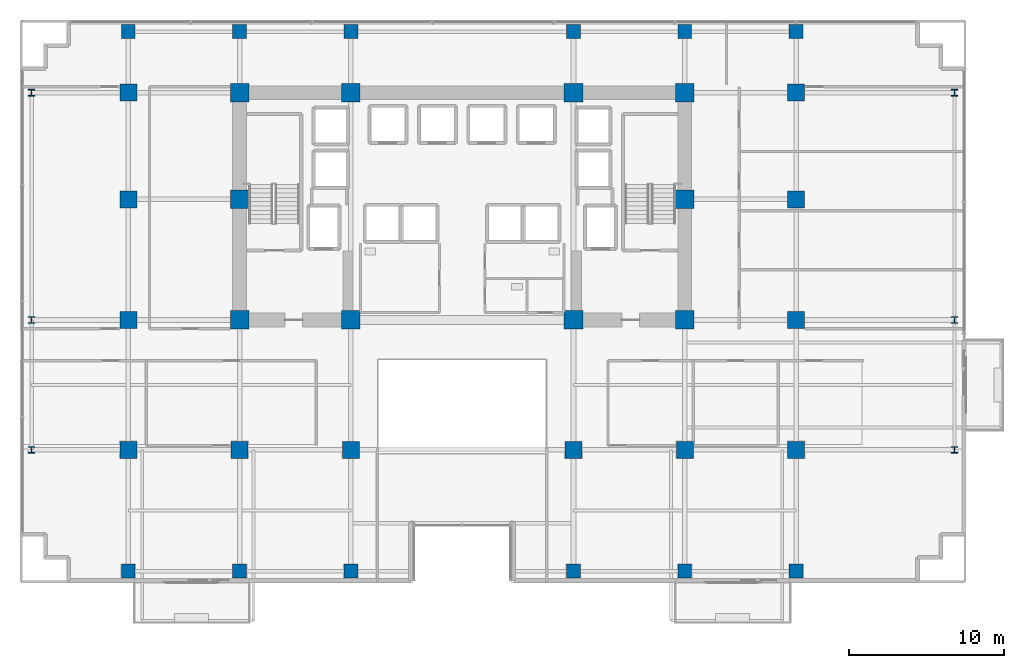
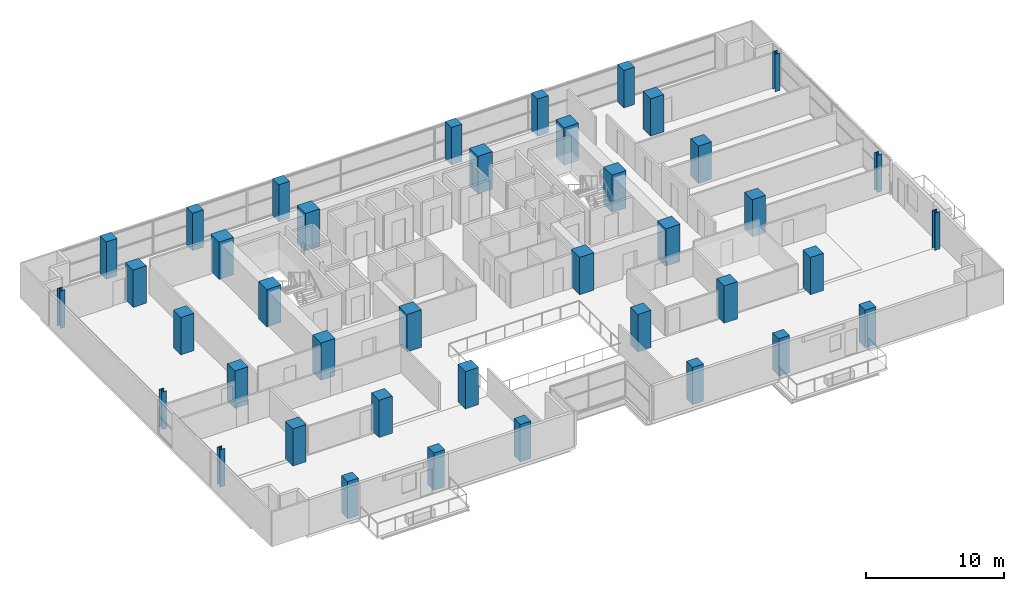
# One storey, part 1 of 27: 40 columns.
"""IFC4 building model written with IfcOpenShell, lengths in metres."""

import ifcopenshell
import ifcopenshell.guid

model = None  # the IFC model being written
_history = None  # IfcOwnerHistory: only IFC2X3 demands one
_inside = {}  # id of a spatial element -> (the spatial element, [elements in it])
_under = {}  # id of a project, library or spatial element -> (it, [spatial elements below it])
_declared = {}  # id of a project -> (the project, [libraries it declares])
_typed = {}  # id of a type object -> (the type object, [elements of that type])
_made_of = {}  # id of a material, layer set ... -> (it, [elements and type objects made of it])


def new_model(schema):
    """Start an empty IFC model of exactly this schema.

    Asked for "IFC4X3", IfcOpenShell would pick the latest addendum, in which some entities
    have other attributes; the version numbers below select the first issue.
    IFC2X3 requires an IfcOwnerHistory on every rooted entity: one is made here for all.
    """
    global model, _history
    if schema == "IFC4X3":
        model = ifcopenshell.file(schema_version=(4, 3, 0, 0))
    else:
        model = ifcopenshell.file(schema=schema)
    _inside.clear()
    _under.clear()
    _declared.clear()
    _typed.clear()
    _made_of.clear()
    _history = None
    if model.schema == "IFC2X3":
        org = make("IfcOrganization", Name="unknown")
        user = make(
            "IfcPersonAndOrganization",
            ThePerson=make("IfcPerson", FamilyName="unknown"),
            TheOrganization=org,
        )
        app = make(
            "IfcApplication",
            ApplicationDeveloper=org,
            Version="unknown",
            ApplicationFullName="unknown",
            ApplicationIdentifier="unknown",
        )
        _history = make(
            "IfcOwnerHistory",
            OwningUser=user,
            OwningApplication=app,
            ChangeAction="ADDED",
            CreationDate=0,
        )
    return model


def make(cls, **values):
    """One entity of the class cls with the attributes given. An attribute that is None is left unset."""
    return model.create_entity(
        cls, **{name: value for name, value in values.items() if value is not None}
    )


def rooted(cls, **values):
    """An entity with a GlobalId (a new one), such as an element, a storey or a relation."""
    return make(cls, GlobalId=ifcopenshell.guid.new(), OwnerHistory=_history, **values)


def si_unit(unit_type, name, prefix=None):
    """IfcSIUnit, for example si_unit("LENGTHUNIT", "METRE", prefix="MILLI")."""
    return make("IfcSIUnit", UnitType=unit_type, Prefix=prefix, Name=name)


def assignment(units):
    """IfcUnitAssignment: the units of a project."""
    return None if units is None else make("IfcUnitAssignment", Units=units)


def point(xyz):
    """IfcCartesianPoint."""
    return None if xyz is None else make("IfcCartesianPoint", Coordinates=xyz)


def direction(xyz):
    """IfcDirection."""
    return None if xyz is None else make("IfcDirection", DirectionRatios=xyz)


def frame(location, z_axis=None, x_axis=None):
    """IfcAxis2Placement3D, a coordinate frame: its origin and axes. An axis left out is left unset."""
    return make(
        "IfcAxis2Placement3D",
        Location=point(location),
        Axis=direction(z_axis),
        RefDirection=direction(x_axis),
    )


def frame_2d(location, x_axis=None):
    """IfcAxis2Placement2D, a coordinate frame in the plane: its origin and x axis."""
    return make(
        "IfcAxis2Placement2D", Location=point(location), RefDirection=direction(x_axis)
    )


def origin():
    """The frame at (0, 0, 0) with its axes left unset."""
    return frame((0.0, 0.0, 0.0))


def origin_2d():
    """The frame at (0, 0) in the plane with its x axis left unset."""
    return frame_2d((0.0, 0.0))


def place(relative_to, where):
    """IfcLocalPlacement: puts the frame where relative to a parent placement (None: the world)."""
    return make(
        "IfcLocalPlacement", PlacementRelTo=relative_to, RelativePlacement=where
    )


def context(
    kind, dimensions, precision=None, world=None, true_north=None, identifier=None
):
    """IfcGeometricRepresentationContext, for example the 3D "Model" context."""
    return make(
        "IfcGeometricRepresentationContext",
        ContextIdentifier=identifier,
        ContextType=kind,
        CoordinateSpaceDimension=dimensions,
        Precision=precision,
        WorldCoordinateSystem=world,
        TrueNorth=true_north,
    )


def subcontext(parent, identifier, kind, view, scale=None):
    """IfcGeometricRepresentationSubContext, for example "Body" below "Model"."""
    return make(
        "IfcGeometricRepresentationSubContext",
        ContextIdentifier=identifier,
        ContextType=kind,
        ParentContext=parent,
        TargetScale=scale,
        TargetView=view,
    )


def project(units=None, contexts=None):
    """IfcProject with its units and contexts."""
    return rooted(
        "IfcProject",
        Name="project",
        RepresentationContexts=contexts,
        UnitsInContext=assignment(units),
    )


def spatial(cls, under=None, at=None, **own):
    """A site, building, storey or space (cls), placed at a placement, below another one or the project."""
    s = rooted(cls, ObjectPlacement=at, **own)
    if under is not None:
        _under.setdefault(under.id(), (under, []))[1].append(s)
    return s


def profile(cls, at=None, kind="AREA", **sizes):
    """A parametric profile (cls). Its sizes go by their IFC names, for example OverallWidth=200.0."""
    return make(cls, ProfileType=kind, Position=at, **sizes)


def rectangle(**sizes):
    """IfcRectangleProfileDef."""
    return profile("IfcRectangleProfileDef", **sizes)


def i_section(**sizes):
    """IfcIShapeProfileDef."""
    return profile("IfcIShapeProfileDef", **sizes)


def extrude(swept, where, along, depth):
    """IfcExtrudedAreaSolid: the profile swept, set in the frame where, extruded along a direction by depth."""
    return make(
        "IfcExtrudedAreaSolid",
        SweptArea=swept,
        Position=where,
        ExtrudedDirection=direction(along),
        Depth=depth,
    )


def shape(context_of_items, identifier, shape_type, items):
    """IfcShapeRepresentation: the items that make up one representation, for example the "Body"."""
    return make(
        "IfcShapeRepresentation",
        ContextOfItems=context_of_items,
        RepresentationIdentifier=identifier,
        RepresentationType=shape_type,
        Items=items,
    )


def material(Name=None, Category=None):
    """IfcMaterial."""
    return make("IfcMaterial", Name=Name, Category=Category)


def material_profile(
    of_material, cross_section, Name=None, Category=None, Priority=None
):
    """IfcMaterialProfile: a cross section and its material."""
    return make(
        "IfcMaterialProfile",
        Name=Name,
        Material=of_material,
        Profile=cross_section,
        Priority=Priority,
        Category=Category,
    )


def profile_set(profiles, Name=None, composite=None):
    """IfcMaterialProfileSet."""
    return make(
        "IfcMaterialProfileSet",
        Name=Name,
        MaterialProfiles=profiles,
        CompositeProfile=composite,
    )


def made_of(thing, what):
    """Note that an element or type object is made of a material, layer set ...; save() writes the relation."""
    if what is not None:
        _made_of.setdefault(what.id(), (what, []))[1].append(thing)
    return thing


def type_object(cls, material=None, **own):
    """A type object (cls), such as IfcWallType, which elements share."""
    return made_of(rooted(cls, **own), material)


def element(
    cls,
    number,
    at=None,
    inside=None,
    cuts=None,
    type_object=None,
    material=None,
    context=None,
    identifier="Body",
    shape_type=None,
    held_by="IfcProductDefinitionShape",
    body=None,
    shapes=None,
    **own,
):
    """One element of the class cls, such as IfcWall. Its Tag is "e" and its number.

    at: its placement. inside: the storey or other place that contains it. cuts: it is an
    opening in that element (IfcRelVoidsElement). A single representation is given by context,
    identifier, shape_type and body (its items); several are given by shapes. held_by: the class
    of the entity that holds the representations. save() writes the other relations.
    """
    e = rooted(cls, Tag="e%d" % number, ObjectPlacement=at, **own)
    if body is not None:
        shapes = [shape(context, identifier, shape_type, body)]
    if shapes is not None:
        e.Representation = make(held_by, Representations=shapes)
    if inside is not None:
        _inside.setdefault(inside.id(), (inside, []))[1].append(e)
    if cuts is not None:
        rooted(
            "IfcRelVoidsElement", RelatingBuildingElement=cuts, RelatedOpeningElement=e
        )
    if type_object is not None:
        _typed.setdefault(type_object.id(), (type_object, []))[1].append(e)
    return made_of(e, material)


def aggregate(whole, parts):
    """IfcRelAggregates: a whole, such as a stair, and the parts it consists of."""
    return rooted("IfcRelAggregates", RelatingObject=whole, RelatedObjects=parts)


def save(model, path):
    """Write the relations noted so far, then the file.

    IfcRelAggregates (storeys below a building ...), IfcRelContainedInSpatialStructure (elements
    in a storey), IfcRelDefinesByType, IfcRelAssociatesMaterial and IfcRelDeclares: one each for
    every whole, place, type object, material and project.
    """
    for whole, parts in _under.values():
        aggregate(whole, parts)
    for where, things in _inside.values():
        rooted(
            "IfcRelContainedInSpatialStructure",
            RelatedElements=things,
            RelatingStructure=where,
        )
    for kind, things in _typed.values():
        rooted("IfcRelDefinesByType", RelatedObjects=things, RelatingType=kind)
    for what, things in _made_of.values():
        rooted("IfcRelAssociatesMaterial", RelatedObjects=things, RelatingMaterial=what)
    for by, libraries in _declared.values():
        rooted("IfcRelDeclares", RelatingContext=by, RelatedDefinitions=libraries)
    model.write(path)


model = new_model("IFC4")

# Units and contexts
model_context = context("Model", 3, precision=1e-05, world=origin(), true_north=direction((0.0, 1.0)))
body_context = subcontext(model_context, "Body", "Model", "MODEL_VIEW")
ifc_project = project(units=[si_unit("LENGTHUNIT", "METRE"), si_unit("AREAUNIT", "SQUARE_METRE"), si_unit("VOLUMEUNIT", "CUBIC_METRE"), si_unit("PLANEANGLEUNIT", "RADIAN"), si_unit("MASSUNIT", "GRAM", prefix="KILO")], contexts=[model_context])

# Site, building, storey
site_placement = place(None, origin())
site = spatial("IfcSite", under=ifc_project, at=site_placement, CompositionType="ELEMENT")
building_placement = place(site_placement, origin())
building = spatial("IfcBuilding", under=site, at=building_placement, Name="Zarnakvel Exchange Tower", CompositionType="ELEMENT")
storey_placement = place(building_placement, frame((0.0, 0.0, 76.89990234375)))
storey = spatial("IfcBuildingStorey", under=building, at=storey_placement, Name="L21", CompositionType="ELEMENT", Elevation=76.89990234375)

# Columns
ifc_material_1 = material(Name="Concrete C80/95", Category="concrete")
ifc_material_profile_1 = material_profile(ifc_material_1, rectangle(XDim=1.199951171875, YDim=1.199951171875, at=origin_2d()))
ifc_profile_set_1 = profile_set([ifc_material_profile_1], Name="Concrete C80/95")
column_type_1 = type_object("IfcColumnType", Name="CC-01", PredefinedType="COLUMN", material=ifc_profile_set_1)
for number, where, z_axis, x_axis, name in (
    (1, (-14.39990234375, -1.199951171875, 0.0), (0.0, 0.0, 1.0), (1.0, 0.0, 0.0), "L21 Column C-4D (CC-01)"),
    (2, (-7.199951171875, -1.199951171875, 0.0), (0.0, 0.0, 1.0), (1.0, 0.0, 0.0), "L21 Column C-5D (CC-01)"),
    (3, (7.199951171875, -1.199951171875, 0.0), (0.0, 0.0, 1.0), (1.0, 0.0, 0.0), "L21 Column C-8D (CC-01)"),
    (4, (14.39990234375, -1.199951171875, 0.0), (0.0, 0.0, 1.0), (1.0, 0.0, 0.0), "L21 Column C-9D (CC-01)"),
    (5, (-14.39990234375, 6.60009765625, 0.0), (0.0, 0.0, 1.0), (1.0, 0.0, 0.0), "L21 Column C-4E (CC-01)"),
    (6, (14.39990234375, 6.60009765625, 0.0), (0.0, 0.0, 1.0), (1.0, 0.0, 0.0), "L21 Column C-9E (CC-01)"),
    (7, (-14.39990234375, 13.5, 0.0), (0.0, 0.0, 1.0), (1.0, 0.0, 0.0), "L21 Column C-4F (CC-01)"),
    (8, (-7.199951171875, 13.5, 0.0), (0.0, 0.0, 1.0), (1.0, 0.0, 0.0), "L21 Column C-5F (CC-01)"),
    (9, (7.199951171875, 13.5, 0.0), (0.0, 0.0, 1.0), (1.0, 0.0, 0.0), "L21 Column C-8F (CC-01)"),
    (10, (14.39990234375, 13.5, 0.0), (0.0, 0.0, 1.0), (1.0, 0.0, 0.0), "L21 Column C-9F (CC-01)"),
):
    element("IfcColumn", number, at=place(storey_placement, frame(where, z_axis=z_axis, x_axis=x_axis)), inside=storey, type_object=column_type_1, Name=name, PredefinedType="COLUMN", context=body_context, shape_type="SweptSolid", body=[
        extrude(rectangle(XDim=1.199951171875, YDim=1.199951171875, at=origin_2d()), origin(), (0.0, 0.0, 1.0), 3.300048828125),
    ])
ifc_material_2 = material(Name="Steel S355", Category="steel")
ifc_material_profile_2 = material_profile(ifc_material_2, i_section(OverallWidth=0.412109375, OverallDepth=0.425048828125, WebThickness=0.02587890625, FlangeThickness=0.0390625, FilletRadius=0.014892578125, at=origin_2d()))
ifc_profile_set_2 = profile_set([ifc_material_profile_2], Name="Steel S355")
column_type_2 = type_object("IfcColumnType", Name="SC-01", PredefinedType="COLUMN", material=ifc_profile_set_2)
for number, where, z_axis, x_axis, name in (
    (11, (-27.85009765625, -9.60009765625, 0.0), (0.0, 0.0, 1.0), (1.0, 0.0, 0.0), "L21 Column TW-C (SC-01)"),
    (12, (31.85009765625, -9.60009765625, 0.0), (0.0, 0.0, 1.0), (1.0, 0.0, 0.0), "L21 Column TE-C (SC-01)"),
    (13, (-27.85009765625, -1.199951171875, 0.0), (0.0, 0.0, 1.0), (1.0, 0.0, 0.0), "L21 Column TW-D (SC-01)"),
    (14, (31.85009765625, -1.199951171875, 0.0), (0.0, 0.0, 1.0), (1.0, 0.0, 0.0), "L21 Column TE-D (SC-01)"),
    (15, (-27.85009765625, 13.5, 0.0), (0.0, 0.0, 1.0), (1.0, 0.0, 0.0), "L21 Column TW-F (SC-01)"),
    (16, (31.85009765625, 13.5, 0.0), (0.0, 0.0, 1.0), (1.0, 0.0, 0.0), "L21 Column TE-F (SC-01)"),
):
    element("IfcColumn", number, at=place(storey_placement, frame(where, z_axis=z_axis, x_axis=x_axis)), inside=storey, type_object=column_type_2, Name=name, PredefinedType="COLUMN", context=body_context, shape_type="SweptSolid", body=[
        extrude(i_section(OverallWidth=0.412109375, OverallDepth=0.425048828125, WebThickness=0.02587890625, FlangeThickness=0.0390625, FilletRadius=0.014892578125, at=origin_2d()), origin(), (0.0, 0.0, 1.0), 3.300048828125),
    ])
ifc_material_profile_3 = material_profile(ifc_material_1, rectangle(XDim=1.10009765625, YDim=1.10009765625, at=origin_2d()))
ifc_profile_set_3 = profile_set([ifc_material_profile_3], Name="Concrete C80/95")
column_type_3 = type_object("IfcColumnType", Name="TC-01", PredefinedType="COLUMN", material=ifc_profile_set_3)
for number, where, z_axis, x_axis, name in (
    (17, (-14.39990234375, -9.60009765625, 0.0), (0.0, 0.0, 1.0), (1.0, 0.0, 0.0), "L21 Column T-4C (TC-01)"),
    (18, (-7.199951171875, -9.60009765625, 0.0), (0.0, 0.0, 1.0), (1.0, 0.0, 0.0), "L21 Column T-5C (TC-01)"),
    (19, (7.199951171875, -9.60009765625, 0.0), (0.0, 0.0, 1.0), (1.0, 0.0, 0.0), "L21 Column T-8C (TC-01)"),
    (20, (14.39990234375, -9.60009765625, 0.0), (0.0, 0.0, 1.0), (1.0, 0.0, 0.0), "L21 Column T-9C (TC-01)"),
    (21, (-21.60009765625, -9.60009765625, 0.0), (0.0, 0.0, 1.0), (1.0, 0.0, 0.0), "L21 Column T-3C (TC-01)"),
    (22, (-21.60009765625, -1.199951171875, 0.0), (0.0, 0.0, 1.0), (1.0, 0.0, 0.0), "L21 Column T-3D (TC-01)"),
    (23, (-21.60009765625, 6.60009765625, 0.0), (0.0, 0.0, 1.0), (1.0, 0.0, 0.0), "L21 Column T-3E (TC-01)"),
    (24, (-21.60009765625, 13.5, 0.0), (0.0, 0.0, 1.0), (1.0, 0.0, 0.0), "L21 Column T-3F (TC-01)"),
    (25, (21.60009765625, -9.60009765625, 0.0), (0.0, 0.0, 1.0), (1.0, 0.0, 0.0), "L21 Column T-10C (TC-01)"),
    (26, (21.60009765625, -1.199951171875, 0.0), (0.0, 0.0, 1.0), (1.0, 0.0, 0.0), "L21 Column T-10D (TC-01)"),
    (27, (21.60009765625, 6.60009765625, 0.0), (0.0, 0.0, 1.0), (1.0, 0.0, 0.0), "L21 Column T-10E (TC-01)"),
    (28, (21.60009765625, 13.5, 0.0), (0.0, 0.0, 1.0), (1.0, 0.0, 0.0), "L21 Column T-10F (TC-01)"),
):
    element("IfcColumn", number, at=place(storey_placement, frame(where, z_axis=z_axis, x_axis=x_axis)), inside=storey, type_object=column_type_3, Name=name, PredefinedType="COLUMN", context=body_context, shape_type="SweptSolid", body=[
        extrude(rectangle(XDim=1.10009765625, YDim=1.10009765625, at=origin_2d()), origin(), (0.0, 0.0, 1.0), 3.300048828125),
    ])
ifc_material_3 = material(Name="Concrete C60/75", Category="concrete")
ifc_material_profile_4 = material_profile(ifc_material_3, rectangle(XDim=0.89990234375, YDim=0.89990234375, at=origin_2d()))
ifc_profile_set_4 = profile_set([ifc_material_profile_4], Name="Concrete C60/75")
column_type_4 = type_object("IfcColumnType", Name="TC-02", PredefinedType="COLUMN", material=ifc_profile_set_4)
for number, where, z_axis, x_axis, name in (
    (29, (-14.39990234375, -17.449951171875, 0.0), (0.0, 0.0, 1.0), (1.0, 0.0, 0.0), "L21 Column TS-4 (TC-02)"),
    (30, (-14.39990234375, 17.449951171875, 0.0), (0.0, 0.0, 1.0), (1.0, 0.0, 0.0), "L21 Column TN-4 (TC-02)"),
    (31, (-7.199951171875, -17.449951171875, 0.0), (0.0, 0.0, 1.0), (1.0, 0.0, 0.0), "L21 Column TS-5 (TC-02)"),
    (32, (-7.199951171875, 17.449951171875, 0.0), (0.0, 0.0, 1.0), (1.0, 0.0, 0.0), "L21 Column TN-5 (TC-02)"),
    (33, (7.199951171875, -17.449951171875, 0.0), (0.0, 0.0, 1.0), (1.0, 0.0, 0.0), "L21 Column TS-8 (TC-02)"),
    (34, (7.199951171875, 17.449951171875, 0.0), (0.0, 0.0, 1.0), (1.0, 0.0, 0.0), "L21 Column TN-8 (TC-02)"),
    (35, (14.39990234375, -17.449951171875, 0.0), (0.0, 0.0, 1.0), (1.0, 0.0, 0.0), "L21 Column TS-9 (TC-02)"),
    (36, (14.39990234375, 17.449951171875, 0.0), (0.0, 0.0, 1.0), (1.0, 0.0, 0.0), "L21 Column TN-9 (TC-02)"),
    (37, (-21.60009765625, -17.449951171875, 0.0), (0.0, 0.0, 1.0), (1.0, 0.0, 0.0), "L21 Column TS-3 (TC-02)"),
    (38, (-21.60009765625, 17.449951171875, 0.0), (0.0, 0.0, 1.0), (1.0, 0.0, 0.0), "L21 Column TN-3 (TC-02)"),
    (39, (21.60009765625, -17.449951171875, 0.0), (0.0, 0.0, 1.0), (1.0, 0.0, 0.0), "L21 Column TS-10 (TC-02)"),
    (40, (21.60009765625, 17.449951171875, 0.0), (0.0, 0.0, 1.0), (1.0, 0.0, 0.0), "L21 Column TN-10 (TC-02)"),
):
    element("IfcColumn", number, at=place(storey_placement, frame(where, z_axis=z_axis, x_axis=x_axis)), inside=storey, type_object=column_type_4, Name=name, PredefinedType="COLUMN", context=body_context, shape_type="SweptSolid", body=[
        extrude(rectangle(XDim=0.89990234375, YDim=0.89990234375, at=origin_2d()), origin(), (0.0, 0.0, 1.0), 3.300048828125),
    ])

save(model, "model.ifc")
